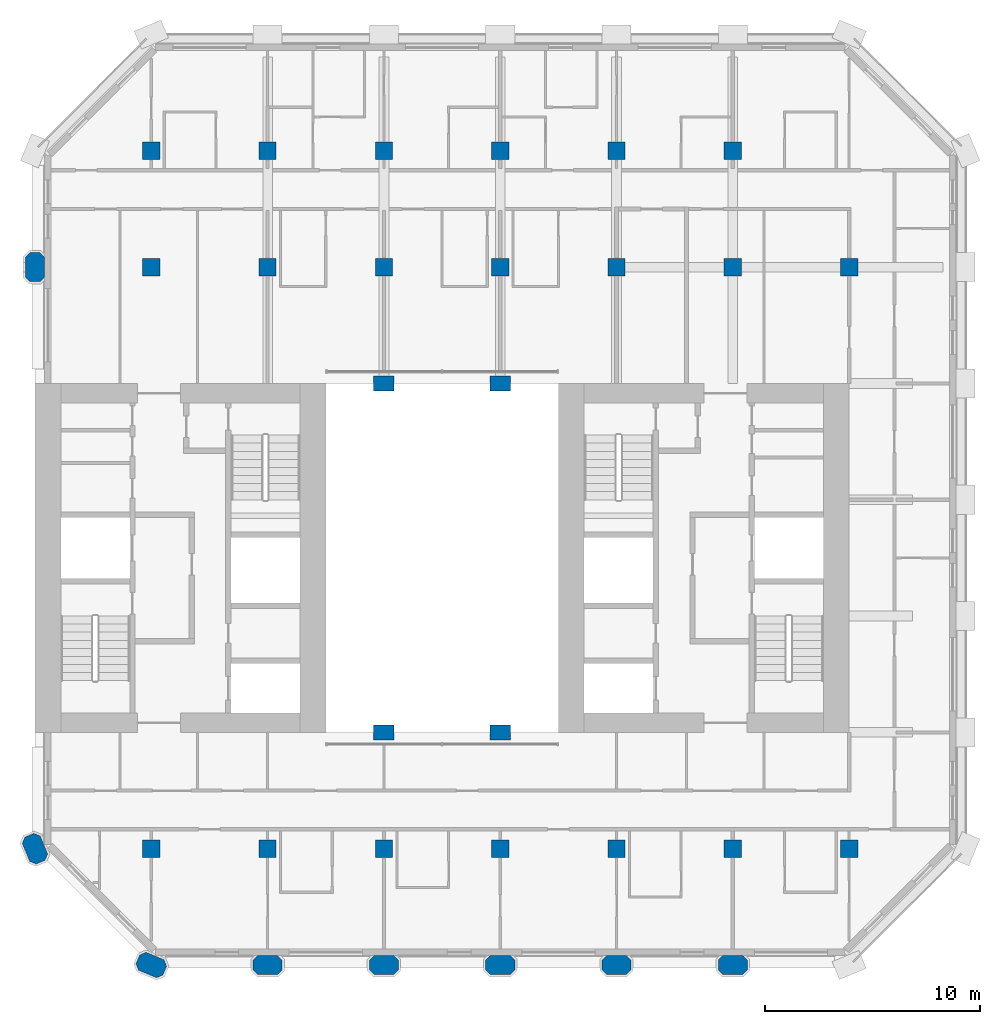
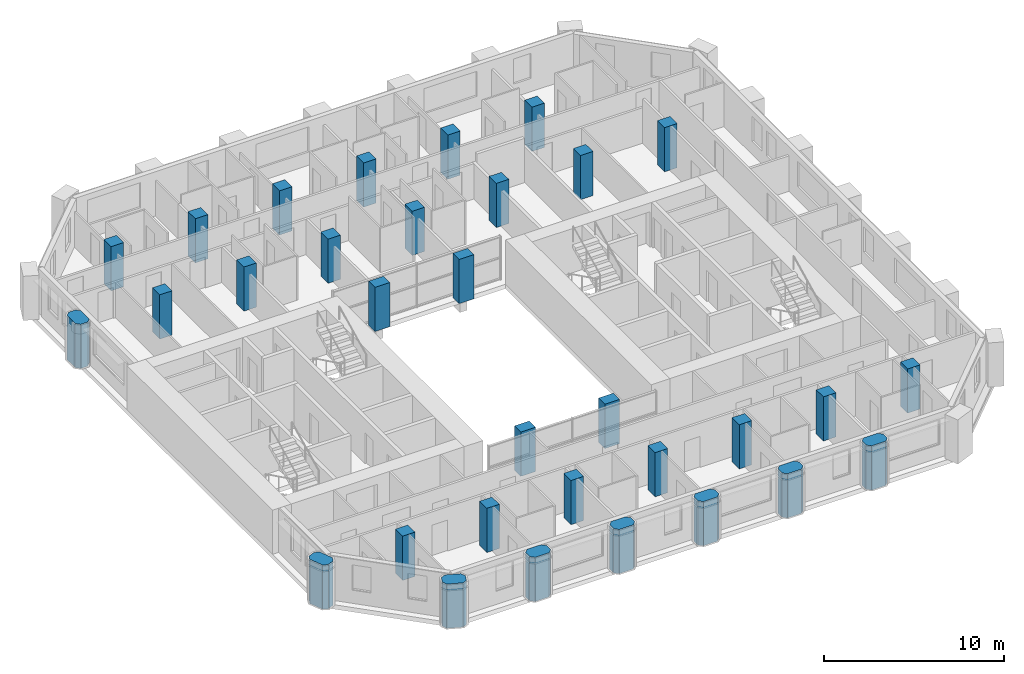
# One storey, part 1 of 13: 32 columns.
"""IFC4 building model written with IfcOpenShell, lengths in metres."""

from ifc_helpers import new_model, si_unit, direction, frame, origin, origin_2d, place, context, subcontext, project, spatial, polyline, rectangle, outline, extrude, material, material_profile, profile_set, type_object, element, save


model = new_model("IFC4")

# Units and contexts
model_context = context("Model", 3, precision=1e-05, world=origin(), true_north=direction((0.0, 1.0)))
body_context = subcontext(model_context, "Body", "Model", "MODEL_VIEW")
ifc_project = project(units=[si_unit("LENGTHUNIT", "METRE"), si_unit("AREAUNIT", "SQUARE_METRE"), si_unit("VOLUMEUNIT", "CUBIC_METRE"), si_unit("PLANEANGLEUNIT", "RADIAN"), si_unit("MASSUNIT", "GRAM", prefix="KILO")], contexts=[model_context])

# Site, building, storey
site_placement = place(None, origin())
site = spatial("IfcSite", under=ifc_project, at=site_placement, CompositionType="ELEMENT")
building_placement = place(site_placement, origin())
building = spatial("IfcBuilding", under=site, at=building_placement, Name="Tabaq Tower and Sports Hall", CompositionType="ELEMENT")
storey_placement = place(building_placement, frame((0.0, 0.0, 203.800048828125)))
storey = spatial("IfcBuildingStorey", under=building, at=storey_placement, Name="L50", CompositionType="ELEMENT", Elevation=203.800048828125)

# Columns
ifc_material_1 = material(Name="Concrete C50/60", Category="concrete")
ifc_material_profile_1 = material_profile(ifc_material_1, rectangle(XDim=0.949951171875, YDim=0.699951171875, at=origin_2d()), Name="ATRIUM COLUMN 950x700")
ifc_profile_set_1 = profile_set([ifc_material_profile_1], Name="Concrete C50/60")
column_type_1 = type_object("IfcColumnType", Name="RC COLUMN ATRIUM COLUMN 950x700 C50/60", PredefinedType="COLUMN", material=ifc_profile_set_1)
for number, where, z_axis, x_axis, name in (
    (1, (21.60009765625, 16.199951171875, 0.0), (0.0, 0.0, 1.0), (1.0, 0.0, 0.0), "Atrium Column 5/D L50"),
    (2, (27.0, 16.199951171875, 0.0), (0.0, 0.0, 1.0), (1.0, 0.0, 0.0), "Atrium Column 6/D L50"),
    (3, (21.60009765625, 32.39990234375, 0.0), (0.0, 0.0, 1.0), (1.0, 0.0, 0.0), "Atrium Column 5/G L50"),
    (4, (27.0, 32.39990234375, 0.0), (0.0, 0.0, 1.0), (1.0, 0.0, 0.0), "Atrium Column 6/G L50"),
):
    element("IfcColumn", number, at=place(storey_placement, frame(where, z_axis=z_axis, x_axis=x_axis)), inside=storey, type_object=column_type_1, Name=name, PredefinedType="COLUMN", context=body_context, shape_type="SweptSolid", body=[
        extrude(rectangle(XDim=0.949951171875, YDim=0.699951171875, at=origin_2d()), origin(), (0.0, 0.0, 1.0), 3.0),
    ])
ifc_material_2 = material(Name="Concrete C50/60", Category="concrete")
ifc_material_profile_2 = material_profile(ifc_material_2, rectangle(XDim=0.800048828125, YDim=0.800048828125, at=origin_2d()), Name="COLUMN 800x800")
ifc_profile_set_2 = profile_set([ifc_material_profile_2], Name="Concrete C50/60")
column_type_2 = type_object("IfcColumnType", Name="RC COLUMN COLUMN 800x800 C50/60", PredefinedType="COLUMN", material=ifc_profile_set_2)
for number, where, z_axis, x_axis, name in (
    (5, (10.800048828125, 10.800048828125, 0.0), (0.0, 0.0, 1.0), (1.0, 0.0, 0.0), "Column 3/C L50"),
    (6, (16.199951171875, 10.800048828125, 0.0), (0.0, 0.0, 1.0), (1.0, 0.0, 0.0), "Column 4/C L50"),
    (7, (21.60009765625, 10.800048828125, 0.0), (0.0, 0.0, 1.0), (1.0, 0.0, 0.0), "Column 5/C L50"),
    (8, (27.0, 10.800048828125, 0.0), (0.0, 0.0, 1.0), (1.0, 0.0, 0.0), "Column 6/C L50"),
    (9, (32.39990234375, 10.800048828125, 0.0), (0.0, 0.0, 1.0), (1.0, 0.0, 0.0), "Column 7/C L50"),
    (10, (37.800048828125, 10.800048828125, 0.0), (0.0, 0.0, 1.0), (1.0, 0.0, 0.0), "Column 8/C L50"),
    (11, (43.199951171875, 10.800048828125, 0.0), (0.0, 0.0, 1.0), (1.0, 0.0, 0.0), "Column 9/C L50"),
    (12, (10.800048828125, 37.800048828125, 0.0), (0.0, 0.0, 1.0), (1.0, 0.0, 0.0), "Column 3/H L50"),
    (13, (16.199951171875, 37.800048828125, 0.0), (0.0, 0.0, 1.0), (1.0, 0.0, 0.0), "Column 4/H L50"),
    (14, (21.60009765625, 37.800048828125, 0.0), (0.0, 0.0, 1.0), (1.0, 0.0, 0.0), "Column 5/H L50"),
    (15, (27.0, 37.800048828125, 0.0), (0.0, 0.0, 1.0), (1.0, 0.0, 0.0), "Column 6/H L50"),
    (16, (32.39990234375, 37.800048828125, 0.0), (0.0, 0.0, 1.0), (1.0, 0.0, 0.0), "Column 7/H L50"),
    (17, (37.800048828125, 37.800048828125, 0.0), (0.0, 0.0, 1.0), (1.0, 0.0, 0.0), "Column 8/H L50"),
    (18, (43.199951171875, 37.800048828125, 0.0), (0.0, 0.0, 1.0), (1.0, 0.0, 0.0), "Column 9/H L50"),
    (19, (10.800048828125, 43.199951171875, 0.0), (0.0, 0.0, 1.0), (1.0, 0.0, 0.0), "Column 3/I L50"),
    (20, (16.199951171875, 43.199951171875, 0.0), (0.0, 0.0, 1.0), (1.0, 0.0, 0.0), "Column 4/I L50"),
    (21, (21.60009765625, 43.199951171875, 0.0), (0.0, 0.0, 1.0), (1.0, 0.0, 0.0), "Column 5/I L50"),
    (22, (27.0, 43.199951171875, 0.0), (0.0, 0.0, 1.0), (1.0, 0.0, 0.0), "Column 6/I L50"),
    (23, (32.39990234375, 43.199951171875, 0.0), (0.0, 0.0, 1.0), (1.0, 0.0, 0.0), "Column 7/I L50"),
    (24, (37.800048828125, 43.199951171875, 0.0), (0.0, 0.0, 1.0), (1.0, 0.0, 0.0), "Column 8/I L50"),
):
    element("IfcColumn", number, at=place(storey_placement, frame(where, z_axis=z_axis, x_axis=x_axis)), inside=storey, type_object=column_type_2, Name=name, PredefinedType="COLUMN", context=body_context, shape_type="SweptSolid", body=[
        extrude(rectangle(XDim=0.800048828125, YDim=0.800048828125, at=origin_2d()), origin(), (0.0, 0.0, 1.0), 3.0),
    ])
ifc_material_3 = material(Name="Concrete C50/60", Category="concrete")
ifc_material_profile_3 = material_profile(ifc_material_3, outline(polyline([(-0.449951171875, -0.449951171875), (0.449951171875, -0.449951171875), (0.675048828125, -0.22509765625), (0.675048828125, 0.22509765625), (0.449951171875, 0.449951171875), (-0.449951171875, 0.449951171875), (-0.675048828125, 0.22509765625), (-0.675048828125, -0.22509765625), (-0.449951171875, -0.449951171875)])), Name="PIER 1350x900")
ifc_profile_set_3 = profile_set([ifc_material_profile_3], Name="Concrete C50/60")
column_type_3 = type_object("IfcColumnType", Name="RC COLUMN PIER 1350x900 C50/60", PredefinedType="COLUMN", material=ifc_profile_set_3)
for number, where, z_axis, x_axis, name in (
    (25, (10.800048828125, 5.39990234375, 0.0), (0.0, 0.0, 1.0), (-0.923879532511, 0.382683432365, 0.0), "Pier 3/B L50"),
    (26, (16.199951171875, 5.39990234375, 0.0), (0.0, 0.0, 1.0), (1.0, 0.0, 0.0), "Pier 4/B L50"),
    (27, (21.60009765625, 5.39990234375, 0.0), (0.0, 0.0, 1.0), (1.0, 0.0, 0.0), "Pier 5/B L50"),
    (28, (27.0, 5.39990234375, 0.0), (0.0, 0.0, 1.0), (1.0, 0.0, 0.0), "Pier 6/B L50"),
    (29, (32.39990234375, 5.39990234375, 0.0), (0.0, 0.0, 1.0), (1.0, 0.0, 0.0), "Pier 7/B L50"),
    (30, (37.800048828125, 5.39990234375, 0.0), (0.0, 0.0, 1.0), (1.0, 0.0, 0.0), "Pier 8/B L50"),
    (31, (5.39990234375, 10.800048828125, 0.0), (0.0, 0.0, 1.0), (-0.382683432365, 0.923879532511, 0.0), "Pier 2/C L50"),
    (32, (5.39990234375, 37.800048828125, 0.0), (0.0, 0.0, 1.0), (0.0, 1.0, 0.0), "Pier 2/H L50"),
):
    element("IfcColumn", number, at=place(storey_placement, frame(where, z_axis=z_axis, x_axis=x_axis)), inside=storey, type_object=column_type_3, Name=name, PredefinedType="COLUMN", context=body_context, shape_type="SweptSolid", body=[
        extrude(outline(polyline([(-0.449951171875, -0.449951171875), (0.449951171875, -0.449951171875), (0.675048828125, -0.22509765625), (0.675048828125, 0.22509765625), (0.449951171875, 0.449951171875), (-0.449951171875, 0.449951171875), (-0.675048828125, 0.22509765625), (-0.675048828125, -0.22509765625), (-0.449951171875, -0.449951171875)])), origin(), (0.0, 0.0, 1.0), 3.0),
    ])

save(model, "model.ifc")
